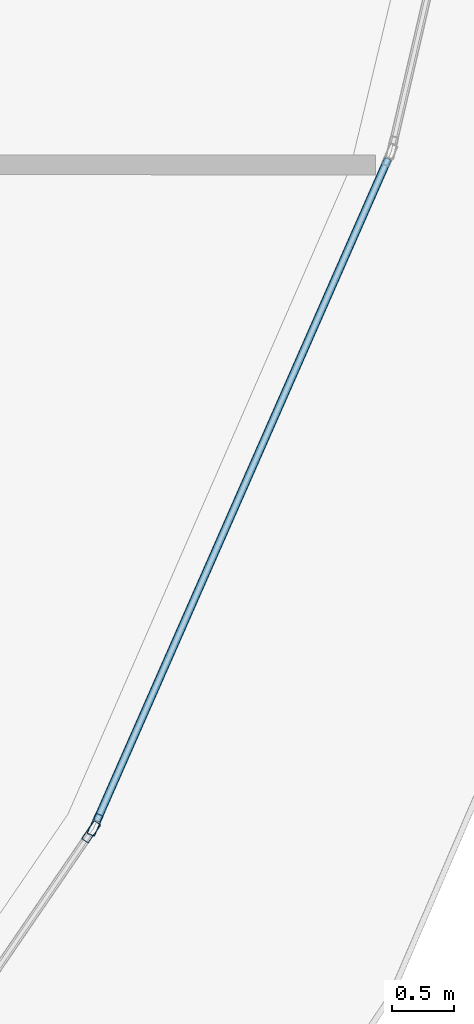
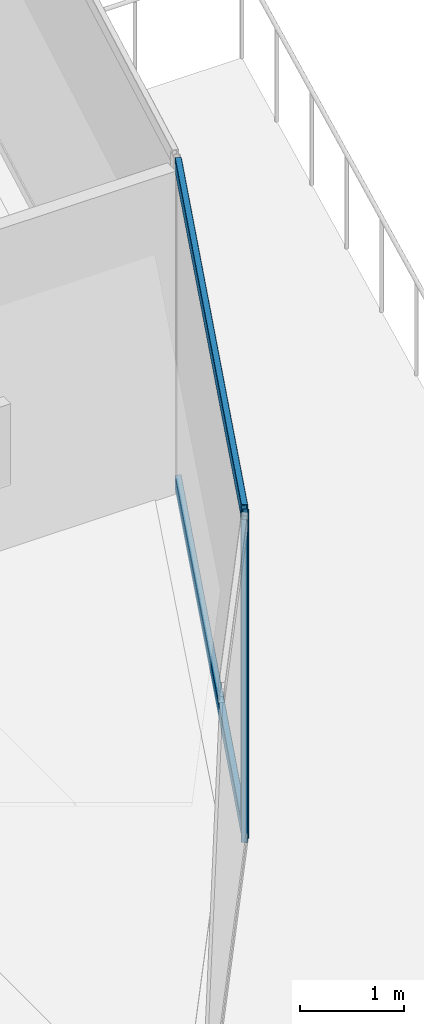
# One storey, part 13 of 43: 4 members, 2 elements without a shape of their own.
"""IFC4 building model written with IfcOpenShell, lengths in metres."""

from ifc_helpers import new_model, si_unit, direction, frame, origin, origin_2d, place, context, subcontext, project, spatial, hollow_rectangle, extrude, material, layer, layer_set, material_profile, profile_set, type_object, element, aggregate, save


model = new_model("IFC4")

# Units and contexts
model_context = context("Model", 3, precision=1e-05, world=origin(), true_north=direction((0.0, 1.0)))
body_context = subcontext(model_context, "Body", "Model", "MODEL_VIEW")
ifc_project = project(units=[si_unit("LENGTHUNIT", "METRE"), si_unit("AREAUNIT", "SQUARE_METRE"), si_unit("VOLUMEUNIT", "CUBIC_METRE"), si_unit("PLANEANGLEUNIT", "RADIAN"), si_unit("MASSUNIT", "GRAM", prefix="KILO")], contexts=[model_context])

# Site, building, storey
site_placement = place(None, origin())
site = spatial("IfcSite", under=ifc_project, at=site_placement, CompositionType="ELEMENT")
building_placement = place(site_placement, origin())
building = spatial("IfcBuilding", under=site, at=building_placement, Name="Qorvath Tower", CompositionType="ELEMENT")
storey_placement = place(building_placement, frame((0.0, 0.0, 213.14990234375)))
storey = spatial("IfcBuildingStorey", under=building, at=storey_placement, Name="L49", CompositionType="ELEMENT", Elevation=213.14990234375)

# Curtain wall, member
ifc_material_1 = material(Name="Anodised aluminium and triple low-E glass", Category="aluminium")
ifc_layer = layer(ifc_material_1, 0.179931640625)
ifc_layer_set = layer_set([ifc_layer], Name="CW-SYS-3")
curtain_wall_type = type_object("IfcCurtainWallType", Name="CW-SYS-3", PredefinedType="NOTDEFINED", material=ifc_layer_set)
curtain_wall_1_placement = place(storey_placement, origin())
curtain_wall_1 = element("IfcCurtainWall", 1, at=curtain_wall_1_placement, inside=storey, type_object=curtain_wall_type, Name="Curtain Wall CW-3 CW-T-L49-5.1", PredefinedType="NOTDEFINED")
ifc_material_2 = material(Name="Anodised aluminium 6063-T6", Category="aluminium")
ifc_material_profile_1 = material_profile(ifc_material_2, hollow_rectangle(XDim=0.06494140625, YDim=0.179931640625, WallThickness=0.00341796875, InnerFilletRadius=0.00341796875, OuterFilletRadius=0.007080078125, at=origin_2d()), Name="CWM 180x65")
ifc_profile_set_1 = profile_set([ifc_material_profile_1], Name="Anodised aluminium 6063-T6")
member_type_1 = type_object("IfcMemberType", Name="CWM-180", PredefinedType="MULLION", material=ifc_profile_set_1)
member_1_placement = place(storey_placement, frame((-3.178955078125, -15.658447265625, 0.0), z_axis=(0.0, 0.0, 1.0), x_axis=(-0.825322881122, 0.564661085871, 0.0)))
member_1 = element("IfcMember", 2, at=member_1_placement, type_object=member_type_1, Name="CW-3 mullion 2", PredefinedType="MULLION", context=body_context, shape_type="SweptSolid", body=[
    extrude(hollow_rectangle(XDim=0.06494140625, YDim=0.179931640625, WallThickness=0.00341796875, InnerFilletRadius=0.00341796875, OuterFilletRadius=0.007080078125, at=origin_2d()), origin(), (0.0, 0.0, 1.0), 3.780029296875),
])
aggregate(curtain_wall_1, [member_1])

# Curtain wall, members
curtain_wall_2_placement = place(storey_placement, origin())
curtain_wall_2 = element("IfcCurtainWall", 3, at=curtain_wall_2_placement, inside=storey, type_object=curtain_wall_type, Name="Curtain Wall CW-3 CW-T-L49-6.1", PredefinedType="NOTDEFINED")
member_2_placement = place(storey_placement, frame((-3.1474609375, -15.601806640625, 0.0), z_axis=(0.0, 0.0, 1.0), x_axis=(-0.91538099818, 0.40258865877, 0.0)))
member_2 = element("IfcMember", 4, at=member_2_placement, type_object=member_type_1, Name="CW-3 mullion 1", PredefinedType="MULLION", context=body_context, shape_type="SweptSolid", body=[
    extrude(hollow_rectangle(XDim=0.06494140625, YDim=0.179931640625, WallThickness=0.00341796875, InnerFilletRadius=0.00341796875, OuterFilletRadius=0.007080078125, at=origin_2d()), origin(), (0.0, 0.0, 1.0), 3.780029296875),
])
ifc_material_3 = material(Name="Anodised aluminium 6063-T6", Category="aluminium")
ifc_material_profile_2 = material_profile(ifc_material_3, hollow_rectangle(XDim=0.06494140625, YDim=0.159912109375, WallThickness=0.00341796875, InnerFilletRadius=0.00341796875, OuterFilletRadius=0.007080078125, at=origin_2d()), Name="CWT 160x65")
ifc_profile_set_2 = profile_set([ifc_material_profile_2], Name="Anodised aluminium 6063-T6")
member_type_2 = type_object("IfcMemberType", Name="CWT-160", PredefinedType="USERDEFINED", material=ifc_profile_set_2)
member_3_placement = place(storey_placement, frame((-3.134521484375, -15.572021484375, 0.032470703125), z_axis=(0.40261946772, 0.915367447648, 0.0), x_axis=(-0.915367447648, 0.40261946772, 0.0)))
member_3 = element("IfcMember", 5, at=member_3_placement, type_object=member_type_2, Name="CW-3 transom 1.1", ObjectType="TRANSOM", PredefinedType="USERDEFINED", context=body_context, shape_type="SweptSolid", body=[
    extrude(hollow_rectangle(XDim=0.06494140625, YDim=0.159912109375, WallThickness=0.00341796875, InnerFilletRadius=0.00341796875, OuterFilletRadius=0.007080078125, at=origin_2d()), origin(), (0.0, 0.0, 1.0), 5.8369140625),
])
member_4_placement = place(storey_placement, frame((-3.134521484375, -15.572021484375, 3.74755859375), z_axis=(0.40261946772, 0.915367447648, 0.0), x_axis=(-0.915367447648, 0.40261946772, 0.0)))
member_4 = element("IfcMember", 6, at=member_4_placement, type_object=member_type_2, Name="CW-3 transom 1.2", ObjectType="TRANSOM", PredefinedType="USERDEFINED", context=body_context, shape_type="SweptSolid", body=[
    extrude(hollow_rectangle(XDim=0.06494140625, YDim=0.159912109375, WallThickness=0.00341796875, InnerFilletRadius=0.00341796875, OuterFilletRadius=0.007080078125, at=origin_2d()), origin(), (0.0, 0.0, 1.0), 5.8369140625),
])
aggregate(curtain_wall_2, [member_2, member_3, member_4])

save(model, "model.ifc")
